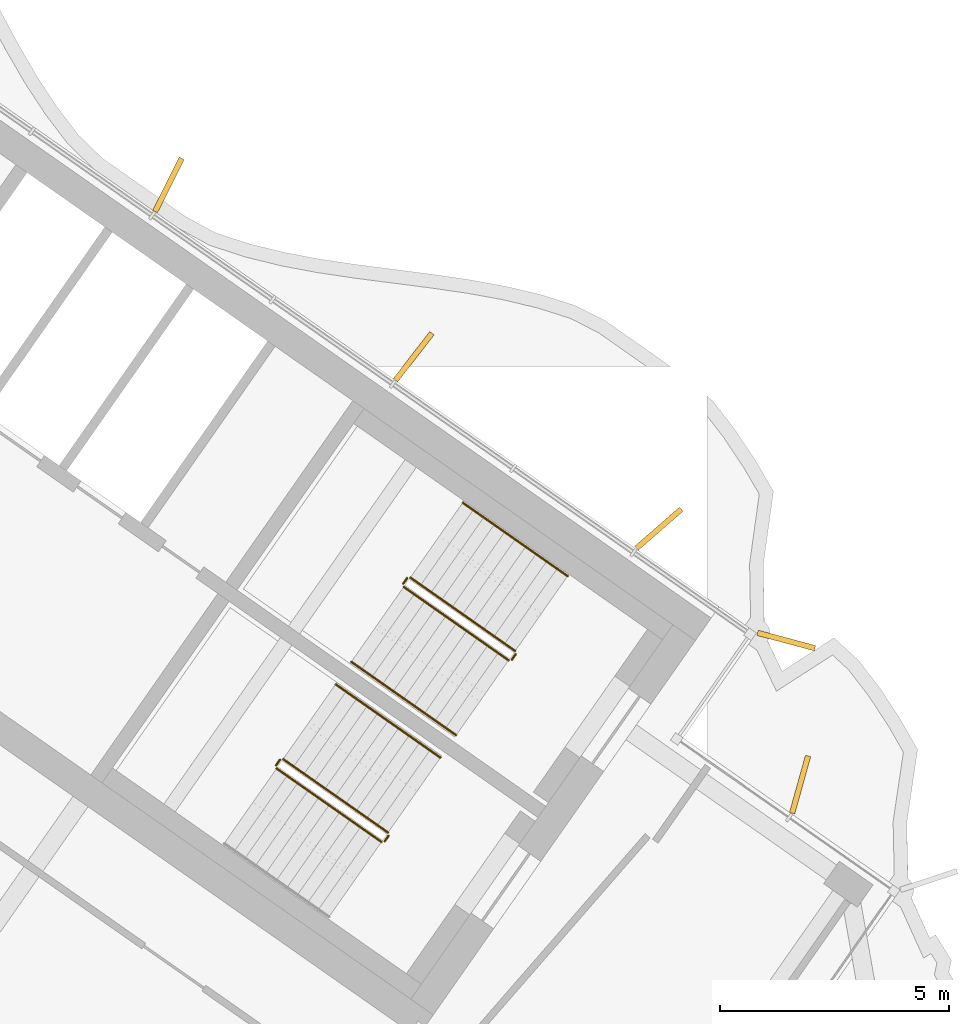
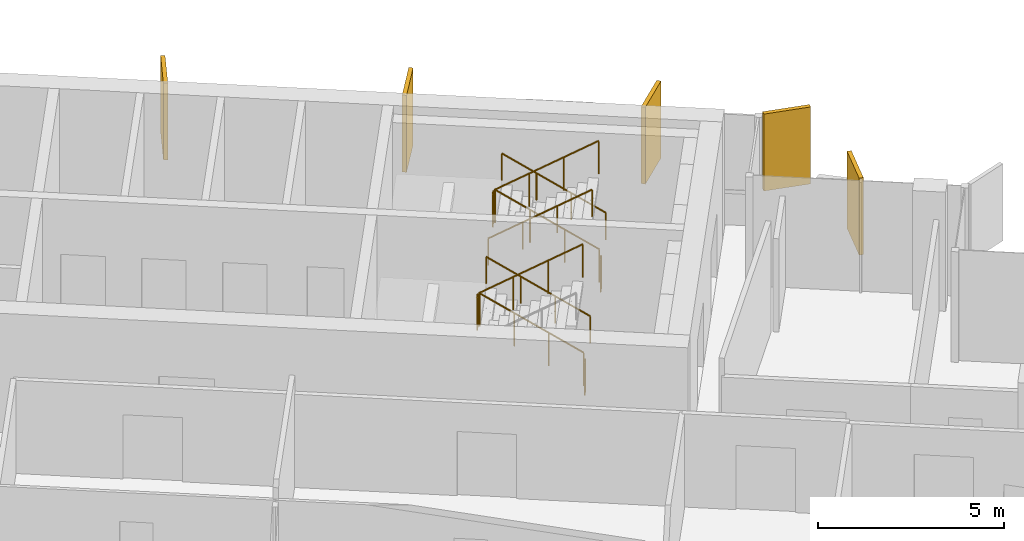
# One storey, part 19 of 20: 11 railings, 5 shading devices.
"""IFC4 building model written with IfcOpenShell, lengths in metres."""

import ifcopenshell
import ifcopenshell.guid

model = None  # the IFC model being written
_history = None  # IfcOwnerHistory: only IFC2X3 demands one
_inside = {}  # id of a spatial element -> (the spatial element, [elements in it])
_under = {}  # id of a project, library or spatial element -> (it, [spatial elements below it])
_declared = {}  # id of a project -> (the project, [libraries it declares])
_typed = {}  # id of a type object -> (the type object, [elements of that type])
_made_of = {}  # id of a material, layer set ... -> (it, [elements and type objects made of it])


def new_model(schema):
    """Start an empty IFC model of exactly this schema.

    Asked for "IFC4X3", IfcOpenShell would pick the latest addendum, in which some entities
    have other attributes; the version numbers below select the first issue.
    IFC2X3 requires an IfcOwnerHistory on every rooted entity: one is made here for all.
    """
    global model, _history
    if schema == "IFC4X3":
        model = ifcopenshell.file(schema_version=(4, 3, 0, 0))
    else:
        model = ifcopenshell.file(schema=schema)
    _inside.clear()
    _under.clear()
    _declared.clear()
    _typed.clear()
    _made_of.clear()
    _history = None
    if model.schema == "IFC2X3":
        org = make("IfcOrganization", Name="unknown")
        user = make(
            "IfcPersonAndOrganization",
            ThePerson=make("IfcPerson", FamilyName="unknown"),
            TheOrganization=org,
        )
        app = make(
            "IfcApplication",
            ApplicationDeveloper=org,
            Version="unknown",
            ApplicationFullName="unknown",
            ApplicationIdentifier="unknown",
        )
        _history = make(
            "IfcOwnerHistory",
            OwningUser=user,
            OwningApplication=app,
            ChangeAction="ADDED",
            CreationDate=0,
        )
    return model


def make(cls, **values):
    """One entity of the class cls with the attributes given. An attribute that is None is left unset."""
    return model.create_entity(
        cls, **{name: value for name, value in values.items() if value is not None}
    )


def rooted(cls, **values):
    """An entity with a GlobalId (a new one), such as an element, a storey or a relation."""
    return make(cls, GlobalId=ifcopenshell.guid.new(), OwnerHistory=_history, **values)


def si_unit(unit_type, name, prefix=None):
    """IfcSIUnit, for example si_unit("LENGTHUNIT", "METRE", prefix="MILLI")."""
    return make("IfcSIUnit", UnitType=unit_type, Prefix=prefix, Name=name)


def assignment(units):
    """IfcUnitAssignment: the units of a project."""
    return None if units is None else make("IfcUnitAssignment", Units=units)


def point(xyz):
    """IfcCartesianPoint."""
    return None if xyz is None else make("IfcCartesianPoint", Coordinates=xyz)


def direction(xyz):
    """IfcDirection."""
    return None if xyz is None else make("IfcDirection", DirectionRatios=xyz)


def frame(location, z_axis=None, x_axis=None):
    """IfcAxis2Placement3D, a coordinate frame: its origin and axes. An axis left out is left unset."""
    return make(
        "IfcAxis2Placement3D",
        Location=point(location),
        Axis=direction(z_axis),
        RefDirection=direction(x_axis),
    )


def frame_2d(location, x_axis=None):
    """IfcAxis2Placement2D, a coordinate frame in the plane: its origin and x axis."""
    return make(
        "IfcAxis2Placement2D", Location=point(location), RefDirection=direction(x_axis)
    )


def origin():
    """The frame at (0, 0, 0) with its axes left unset."""
    return frame((0.0, 0.0, 0.0))


def origin_2d():
    """The frame at (0, 0) in the plane with its x axis left unset."""
    return frame_2d((0.0, 0.0))


def place(relative_to, where):
    """IfcLocalPlacement: puts the frame where relative to a parent placement (None: the world)."""
    return make(
        "IfcLocalPlacement", PlacementRelTo=relative_to, RelativePlacement=where
    )


def context(
    kind, dimensions, precision=None, world=None, true_north=None, identifier=None
):
    """IfcGeometricRepresentationContext, for example the 3D "Model" context."""
    return make(
        "IfcGeometricRepresentationContext",
        ContextIdentifier=identifier,
        ContextType=kind,
        CoordinateSpaceDimension=dimensions,
        Precision=precision,
        WorldCoordinateSystem=world,
        TrueNorth=true_north,
    )


def subcontext(parent, identifier, kind, view, scale=None):
    """IfcGeometricRepresentationSubContext, for example "Body" below "Model"."""
    return make(
        "IfcGeometricRepresentationSubContext",
        ContextIdentifier=identifier,
        ContextType=kind,
        ParentContext=parent,
        TargetScale=scale,
        TargetView=view,
    )


def project(units=None, contexts=None):
    """IfcProject with its units and contexts."""
    return rooted(
        "IfcProject",
        Name="project",
        RepresentationContexts=contexts,
        UnitsInContext=assignment(units),
    )


def spatial(cls, under=None, at=None, **own):
    """A site, building, storey or space (cls), placed at a placement, below another one or the project."""
    s = rooted(cls, ObjectPlacement=at, **own)
    if under is not None:
        _under.setdefault(under.id(), (under, []))[1].append(s)
    return s


def profile(cls, at=None, kind="AREA", **sizes):
    """A parametric profile (cls). Its sizes go by their IFC names, for example OverallWidth=200.0."""
    return make(cls, ProfileType=kind, Position=at, **sizes)


def rectangle(**sizes):
    """IfcRectangleProfileDef."""
    return profile("IfcRectangleProfileDef", **sizes)


def circle(**sizes):
    """IfcCircleProfileDef."""
    return profile("IfcCircleProfileDef", **sizes)


def extrude(swept, where, along, depth):
    """IfcExtrudedAreaSolid: the profile swept, set in the frame where, extruded along a direction by depth."""
    return make(
        "IfcExtrudedAreaSolid",
        SweptArea=swept,
        Position=where,
        ExtrudedDirection=direction(along),
        Depth=depth,
    )


def shape(context_of_items, identifier, shape_type, items):
    """IfcShapeRepresentation: the items that make up one representation, for example the "Body"."""
    return make(
        "IfcShapeRepresentation",
        ContextOfItems=context_of_items,
        RepresentationIdentifier=identifier,
        RepresentationType=shape_type,
        Items=items,
    )


def material(Name=None, Category=None):
    """IfcMaterial."""
    return make("IfcMaterial", Name=Name, Category=Category)


def layer(
    of_material, thickness, ventilated=None, Name=None, Category=None, Priority=None
):
    """IfcMaterialLayer: one layer of a wall or slab, of a material (None: an air gap)."""
    return make(
        "IfcMaterialLayer",
        Material=of_material,
        LayerThickness=thickness,
        IsVentilated=ventilated,
        Name=Name,
        Category=Category,
        Priority=Priority,
    )


def layer_set(layers, Name=None):
    """IfcMaterialLayerSet."""
    return make("IfcMaterialLayerSet", MaterialLayers=layers, LayerSetName=Name)


def made_of(thing, what):
    """Note that an element or type object is made of a material, layer set ...; save() writes the relation."""
    if what is not None:
        _made_of.setdefault(what.id(), (what, []))[1].append(thing)
    return thing


def type_object(cls, material=None, **own):
    """A type object (cls), such as IfcWallType, which elements share."""
    return made_of(rooted(cls, **own), material)


def element(
    cls,
    number,
    at=None,
    inside=None,
    cuts=None,
    type_object=None,
    material=None,
    context=None,
    identifier="Body",
    shape_type=None,
    held_by="IfcProductDefinitionShape",
    body=None,
    shapes=None,
    **own,
):
    """One element of the class cls, such as IfcWall. Its Tag is "e" and its number.

    at: its placement. inside: the storey or other place that contains it. cuts: it is an
    opening in that element (IfcRelVoidsElement). A single representation is given by context,
    identifier, shape_type and body (its items); several are given by shapes. held_by: the class
    of the entity that holds the representations. save() writes the other relations.
    """
    e = rooted(cls, Tag="e%d" % number, ObjectPlacement=at, **own)
    if body is not None:
        shapes = [shape(context, identifier, shape_type, body)]
    if shapes is not None:
        e.Representation = make(held_by, Representations=shapes)
    if inside is not None:
        _inside.setdefault(inside.id(), (inside, []))[1].append(e)
    if cuts is not None:
        rooted(
            "IfcRelVoidsElement", RelatingBuildingElement=cuts, RelatedOpeningElement=e
        )
    if type_object is not None:
        _typed.setdefault(type_object.id(), (type_object, []))[1].append(e)
    return made_of(e, material)


def aggregate(whole, parts):
    """IfcRelAggregates: a whole, such as a stair, and the parts it consists of."""
    return rooted("IfcRelAggregates", RelatingObject=whole, RelatedObjects=parts)


def save(model, path):
    """Write the relations noted so far, then the file.

    IfcRelAggregates (storeys below a building ...), IfcRelContainedInSpatialStructure (elements
    in a storey), IfcRelDefinesByType, IfcRelAssociatesMaterial and IfcRelDeclares: one each for
    every whole, place, type object, material and project.
    """
    for whole, parts in _under.values():
        aggregate(whole, parts)
    for where, things in _inside.values():
        rooted(
            "IfcRelContainedInSpatialStructure",
            RelatedElements=things,
            RelatingStructure=where,
        )
    for kind, things in _typed.values():
        rooted("IfcRelDefinesByType", RelatedObjects=things, RelatingType=kind)
    for what, things in _made_of.values():
        rooted("IfcRelAssociatesMaterial", RelatedObjects=things, RelatingMaterial=what)
    for by, libraries in _declared.values():
        rooted("IfcRelDeclares", RelatingContext=by, RelatedDefinitions=libraries)
    model.write(path)


model = new_model("IFC4")

# Units and contexts
model_context = context("Model", 3, precision=1e-05, world=origin(), true_north=direction((0.0, 1.0)))
body_context = subcontext(model_context, "Body", "Model", "MODEL_VIEW")
ifc_project = project(units=[si_unit("LENGTHUNIT", "METRE"), si_unit("AREAUNIT", "SQUARE_METRE"), si_unit("VOLUMEUNIT", "CUBIC_METRE"), si_unit("PLANEANGLEUNIT", "RADIAN"), si_unit("MASSUNIT", "GRAM", prefix="KILO")], contexts=[model_context])

# Site, building, storey
site_placement = place(None, origin())
site = spatial("IfcSite", under=ifc_project, at=site_placement, CompositionType="ELEMENT")
building_placement = place(site_placement, origin())
building = spatial("IfcBuilding", under=site, at=building_placement, Name="Tel Ilan Convention Tower", CompositionType="ELEMENT")
storey_placement = place(building_placement, frame((0.0, 0.0, 233.199951171875)))
storey = spatial("IfcBuildingStorey", under=building, at=storey_placement, Name="L54", CompositionType="ELEMENT", Elevation=233.199951171875)

# Shading devices
ifc_material_1 = material(Name="Aluminium, bronze anodised", Category="aluminium")
ifc_layer = layer(ifc_material_1, 0.1201171875)
ifc_layer_set = layer_set([ifc_layer], Name="FIN BRONZE 1300x120")
shading_device_type = type_object("IfcShadingDeviceType", Name="FIN BRONZE 1300x120", PredefinedType="USERDEFINED", material=ifc_layer_set)
for number, where, z_axis, x_axis, name in (
    (1, (29.611083984375, -7.623046875, 1.10009765625), (0.0, 0.0, 1.0), (0.965925826289, -0.258819045103, 0.0), "FIN"),
    (2, (26.823974609375, -5.177001953125, 1.10009765625), (0.0, 0.0, 1.0), (0.753435896329, 0.657521368568, 0.0), "FIN"),
    (3, (21.46044921875, -1.4130859375, 1.10009765625), (0.0, 0.0, 1.0), (0.612600545196, 0.790392669516, 0.0), "FIN"),
    (4, (16.092041015625, 2.345458984375, 1.10009765625), (0.0, 0.0, 1.0), (0.448799180206, 0.893632640321, 0.0), "FIN"),
    (5, (29.913818359375, -10.77392578125, 1.10009765625), (0.0, 0.0, 1.0), (0.268172612768, 0.963370878614, 0.0), "FIN"),
):
    element("IfcShadingDevice", number, at=place(storey_placement, frame(where, z_axis=z_axis, x_axis=x_axis)), inside=storey, type_object=shading_device_type, Name=name, ObjectType="FIN", PredefinedType="USERDEFINED", context=body_context, shape_type="SweptSolid", body=[
        extrude(rectangle(XDim=1.300048828125, YDim=0.1201171875, at=origin_2d()), origin(), (0.0, 0.0, 1.0), 2.52001953125),
    ])

# Railings
ifc_material_2 = material(Name="Stainless Steel Grade 316", Category="steel")
railing_type_1 = type_object("IfcRailingType", Name="Stainless Steel Stair Guard 1100 mm", PredefinedType="GUARDRAIL", material=ifc_material_2)
railing_1_placement = place(storey_placement, frame((23.6787109375, -7.8515625, 0.17724609375)))
element("IfcRailing", 6, at=railing_1_placement, inside=storey, type_object=railing_type_1, Name="L54 S3 stair guard 1", PredefinedType="GUARDRAIL", context=body_context, shape_type="SweptSolid", body=[
    extrude(circle(Radius=0.02392578125, at=origin_2d()), frame((0.0, 0.0, 1.076171875), z_axis=(-0.692084706163, 0.484621375041, 0.534940073605), x_axis=(-0.573591086599, -0.819141785879, 0.0)), (0.0, 0.0, 1.0), 3.313720703125),
    extrude(circle(Radius=0.02099609375, at=origin_2d()), origin(), (0.0, 0.0, 1.0), 1.052001953125),
    extrude(circle(Radius=0.02099609375, at=origin_2d()), frame((-0.764404296875, 0.535400390625, 0.5908203125)), (0.0, 0.0, 1.0), 1.052001953125),
    extrude(circle(Radius=0.02099609375, at=origin_2d()), frame((-1.529052734375, 1.070556640625, 1.181884765625)), (0.0, 0.0, 1.0), 1.052001953125),
    extrude(circle(Radius=0.02099609375, at=origin_2d()), frame((-2.29345703125, 1.60595703125, 1.772705078125)), (0.0, 0.0, 1.0), 1.052001953125),
])
railing_2_placement = place(storey_placement, frame((21.3154296875, -6.2578125, 1.949951171875)))
element("IfcRailing", 7, at=railing_2_placement, inside=storey, type_object=railing_type_1, Name="L54 S3 stair guard 2", PredefinedType="GUARDRAIL", context=body_context, shape_type="SweptSolid", body=[
    extrude(circle(Radius=0.02392578125, at=origin_2d()), frame((0.0, 0.0, 1.076171875), z_axis=(-0.573353020881, -0.819308436089, 0.0), x_axis=(0.819308436089, -0.573353020881, 0.0)), (0.0, 0.0, 1.0), 0.14990234375),
    extrude(circle(Radius=0.02099609375, at=origin_2d()), origin(), (0.0, 0.0, 1.0), 1.052001953125),
    extrude(circle(Radius=0.02099609375, at=origin_2d()), frame((-0.0859375, -0.122802734375, 0.0)), (0.0, 0.0, 1.0), 1.052001953125),
])
railing_3_placement = place(storey_placement, frame((21.24169921875, -6.4501953125, 2.12744140625)))
element("IfcRailing", 8, at=railing_3_placement, inside=storey, type_object=railing_type_1, Name="L54 S3 stair guard 3", PredefinedType="GUARDRAIL", context=body_context, shape_type="SweptSolid", body=[
    extrude(circle(Radius=0.02392578125, at=origin_2d()), frame((0.0, 0.0, 1.076171875), z_axis=(0.692098378994, -0.484653031975, 0.534893701956), x_axis=(0.573608623498, 0.819129505664, 0.0)), (0.0, 0.0, 1.0), 3.314208984375),
    extrude(circle(Radius=0.02099609375, at=origin_2d()), origin(), (0.0, 0.0, 1.0), 1.052001953125),
    extrude(circle(Radius=0.02099609375, at=origin_2d()), frame((0.7646484375, -0.535400390625, 0.5908203125)), (0.0, 0.0, 1.0), 1.052001953125),
    extrude(circle(Radius=0.02099609375, at=origin_2d()), frame((1.529052734375, -1.07080078125, 1.181884765625)), (0.0, 0.0, 1.0), 1.052001953125),
    extrude(circle(Radius=0.02099609375, at=origin_2d()), frame((2.293701171875, -1.606201171875, 1.772705078125)), (0.0, 0.0, 1.0), 1.052001953125),
])
railing_4_placement = place(storey_placement, frame((23.691162109375, -7.921142578125, 0.0)))
element("IfcRailing", 9, at=railing_4_placement, inside=storey, type_object=railing_type_1, Name="L54 S3 stair guard 4", PredefinedType="GUARDRAIL", context=body_context, shape_type="SweptSolid", body=[
    extrude(circle(Radius=0.02392578125, at=origin_2d()), frame((0.0, 0.0, 1.076171875), z_axis=(-0.574444878118, -0.818543268254, 0.0), x_axis=(0.818543268254, -0.574444878118, 0.0)), (0.0, 0.0, 1.0), 0.150146484375),
    extrude(circle(Radius=0.02099609375, at=origin_2d()), origin(), (0.0, 0.0, 1.0), 1.052001953125),
    extrude(circle(Radius=0.02099609375, at=origin_2d()), frame((-0.086181640625, -0.122802734375, 0.0)), (0.0, 0.0, 1.0), 1.052001953125),
])
railing_5_placement = place(storey_placement, frame((20.89697265625, -11.824462890625, 0.17724609375)))
element("IfcRailing", 10, at=railing_5_placement, inside=storey, type_object=railing_type_1, Name="L54 S4 stair guard 1", PredefinedType="GUARDRAIL", context=body_context, shape_type="SweptSolid", body=[
    extrude(circle(Radius=0.02392578125, at=origin_2d()), frame((0.0, 0.0, 1.076171875), z_axis=(-0.692123088272, 0.484596665743, 0.534912798717), x_axis=(-0.573550118428, -0.819170471667, 0.0)), (0.0, 0.0, 1.0), 3.31396484375),
    extrude(circle(Radius=0.02099609375, at=origin_2d()), origin(), (0.0, 0.0, 1.0), 1.052001953125),
    extrude(circle(Radius=0.02099609375, at=origin_2d()), frame((-0.7646484375, 0.535400390625, 0.5908203125)), (0.0, 0.0, 1.0), 1.052001953125),
    extrude(circle(Radius=0.02099609375, at=origin_2d()), frame((-1.529052734375, 1.070556640625, 1.181884765625)), (0.0, 0.0, 1.0), 1.052001953125),
    extrude(circle(Radius=0.02099609375, at=origin_2d()), frame((-2.293701171875, 1.60595703125, 1.772705078125)), (0.0, 0.0, 1.0), 1.052001953125),
])
railing_6_placement = place(storey_placement, frame((18.53369140625, -10.230712890625, 1.949951171875)))
element("IfcRailing", 11, at=railing_6_placement, inside=storey, type_object=railing_type_1, Name="L54 S4 stair guard 2", PredefinedType="GUARDRAIL", context=body_context, shape_type="SweptSolid", body=[
    extrude(circle(Radius=0.02392578125, at=origin_2d()), frame((0.0, 0.0, 1.076171875), z_axis=(-0.573353020881, -0.819308436089, 0.0), x_axis=(0.819308436089, -0.573353020881, 0.0)), (0.0, 0.0, 1.0), 0.14990234375),
    extrude(circle(Radius=0.02099609375, at=origin_2d()), origin(), (0.0, 0.0, 1.0), 1.052001953125),
    extrude(circle(Radius=0.02099609375, at=origin_2d()), frame((-0.0859375, -0.122802734375, 0.0)), (0.0, 0.0, 1.0), 1.052001953125),
])
railing_7_placement = place(storey_placement, frame((18.4599609375, -10.423095703125, 2.12744140625)))
element("IfcRailing", 12, at=railing_7_placement, inside=storey, type_object=railing_type_1, Name="L54 S4 stair guard 3", PredefinedType="GUARDRAIL", context=body_context, shape_type="SweptSolid", body=[
    extrude(circle(Radius=0.02392578125, at=origin_2d()), frame((0.0, 0.0, 1.076171875), z_axis=(0.692098378994, -0.484653031975, 0.534893701956), x_axis=(0.573608623498, 0.819129505664, 0.0)), (0.0, 0.0, 1.0), 3.314208984375),
    extrude(circle(Radius=0.02099609375, at=origin_2d()), origin(), (0.0, 0.0, 1.0), 1.052001953125),
    extrude(circle(Radius=0.02099609375, at=origin_2d()), frame((0.7646484375, -0.535400390625, 0.5908203125)), (0.0, 0.0, 1.0), 1.052001953125),
    extrude(circle(Radius=0.02099609375, at=origin_2d()), frame((1.529052734375, -1.07080078125, 1.181884765625)), (0.0, 0.0, 1.0), 1.052001953125),
    extrude(circle(Radius=0.02099609375, at=origin_2d()), frame((2.293701171875, -1.606201171875, 1.772705078125)), (0.0, 0.0, 1.0), 1.052001953125),
])
railing_8_placement = place(storey_placement, frame((20.9091796875, -11.89404296875, 0.0)))
element("IfcRailing", 13, at=railing_8_placement, inside=storey, type_object=railing_type_1, Name="L54 S4 stair guard 4", PredefinedType="GUARDRAIL", context=body_context, shape_type="SweptSolid", body=[
    extrude(circle(Radius=0.02392578125, at=origin_2d()), frame((0.0, 0.0, 1.076171875), z_axis=(-0.573353020881, -0.819308436089, 0.0), x_axis=(0.819308436089, -0.573353020881, 0.0)), (0.0, 0.0, 1.0), 0.14990234375),
    extrude(circle(Radius=0.02099609375, at=origin_2d()), origin(), (0.0, 0.0, 1.0), 1.052001953125),
    extrude(circle(Radius=0.02099609375, at=origin_2d()), frame((-0.0859375, -0.122802734375, 0.0)), (0.0, 0.0, 1.0), 1.052001953125),
])
ifc_material_3 = material(Name="Stainless Steel Grade 316", Category="steel")
railing_type_2 = type_object("IfcRailingType", Name="Stainless Steel Stair Handrail 900 mm", PredefinedType="HANDRAIL", material=ifc_material_3)
railing_9_placement = place(storey_placement, frame((24.825927734375, -6.213134765625, 0.17724609375)))
element("IfcRailing", 14, at=railing_9_placement, inside=storey, type_object=railing_type_2, Name="L54 S3 stair handrail 1", PredefinedType="HANDRAIL", context=body_context, shape_type="SweptSolid", body=[
    extrude(circle(Radius=0.02392578125, at=origin_2d()), frame((0.0, 0.0, 0.8759765625), z_axis=(-0.692123088272, 0.484596665743, 0.534912798717), x_axis=(-0.573550118428, -0.819170471667, 0.0)), (0.0, 0.0, 1.0), 3.31396484375),
    extrude(circle(Radius=0.02099609375, at=origin_2d()), origin(), (0.0, 0.0, 1.0), 0.851806640625),
    extrude(circle(Radius=0.02099609375, at=origin_2d()), frame((-0.7646484375, 0.535400390625, 0.5908203125)), (0.0, 0.0, 1.0), 0.851806640625),
    extrude(circle(Radius=0.02099609375, at=origin_2d()), frame((-1.529052734375, 1.070556640625, 1.181884765625)), (0.0, 0.0, 1.0), 0.851806640625),
    extrude(circle(Radius=0.02099609375, at=origin_2d()), frame((-2.293701171875, 1.60595703125, 1.772705078125)), (0.0, 0.0, 1.0), 0.851806640625),
])
railing_10_placement = place(storey_placement, frame((20.0947265625, -8.088623046875, 2.12744140625)))
element("IfcRailing", 15, at=railing_10_placement, inside=storey, type_object=railing_type_2, Name="L54 S3 stair handrail 2", PredefinedType="HANDRAIL", context=body_context, shape_type="SweptSolid", body=[
    extrude(circle(Radius=0.02392578125, at=origin_2d()), frame((0.0, 0.0, 0.8759765625), z_axis=(0.692084706163, -0.484621375041, 0.534940073605), x_axis=(0.573591086599, 0.819141785879, 0.0)), (0.0, 0.0, 1.0), 3.313720703125),
    extrude(circle(Radius=0.02099609375, at=origin_2d()), origin(), (0.0, 0.0, 1.0), 0.851806640625),
    extrude(circle(Radius=0.02099609375, at=origin_2d()), frame((0.764404296875, -0.535400390625, 0.5908203125)), (0.0, 0.0, 1.0), 0.851806640625),
    extrude(circle(Radius=0.02099609375, at=origin_2d()), frame((1.529052734375, -1.070556640625, 1.181884765625)), (0.0, 0.0, 1.0), 0.851806640625),
    extrude(circle(Radius=0.02099609375, at=origin_2d()), frame((2.29345703125, -1.60595703125, 1.772705078125)), (0.0, 0.0, 1.0), 0.851806640625),
])
railing_11_placement = place(storey_placement, frame((22.044189453125, -10.18603515625, 0.17724609375)))
element("IfcRailing", 16, at=railing_11_placement, inside=storey, type_object=railing_type_2, Name="L54 S4 stair handrail 1", PredefinedType="HANDRAIL", context=body_context, shape_type="SweptSolid", body=[
    extrude(circle(Radius=0.02392578125, at=origin_2d()), frame((0.0, 0.0, 0.8759765625), z_axis=(-0.692123088272, 0.484596665743, 0.534912798717), x_axis=(-0.573550118428, -0.819170471667, 0.0)), (0.0, 0.0, 1.0), 3.31396484375),
    extrude(circle(Radius=0.02099609375, at=origin_2d()), origin(), (0.0, 0.0, 1.0), 0.851806640625),
    extrude(circle(Radius=0.02099609375, at=origin_2d()), frame((-0.7646484375, 0.535400390625, 0.5908203125)), (0.0, 0.0, 1.0), 0.851806640625),
    extrude(circle(Radius=0.02099609375, at=origin_2d()), frame((-1.529052734375, 1.070556640625, 1.181884765625)), (0.0, 0.0, 1.0), 0.851806640625),
    extrude(circle(Radius=0.02099609375, at=origin_2d()), frame((-2.293701171875, 1.60595703125, 1.772705078125)), (0.0, 0.0, 1.0), 0.851806640625),
])

save(model, "model.ifc")
